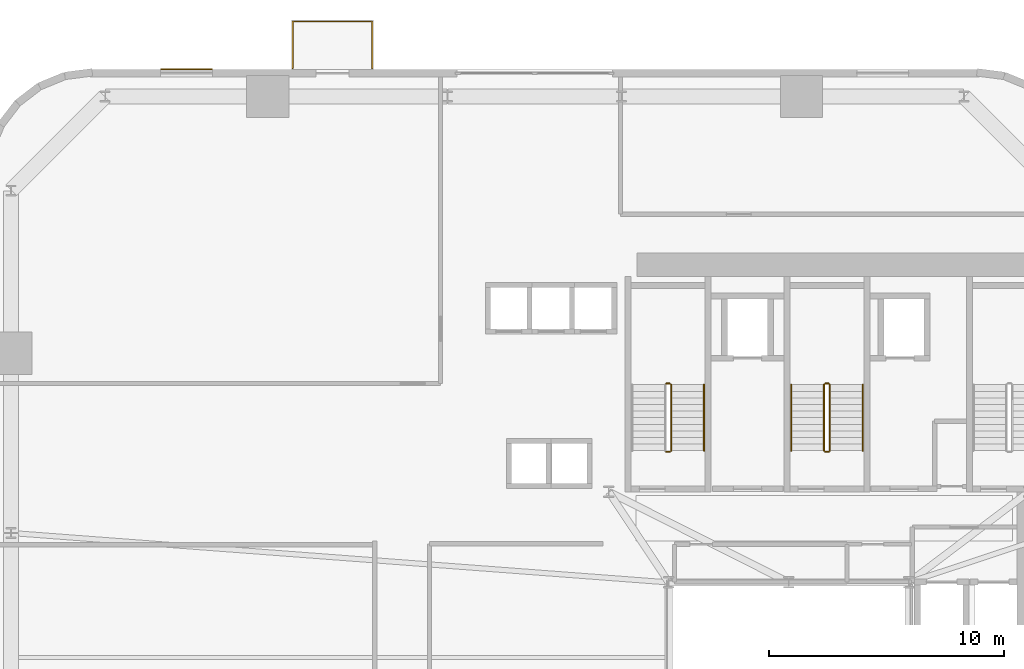
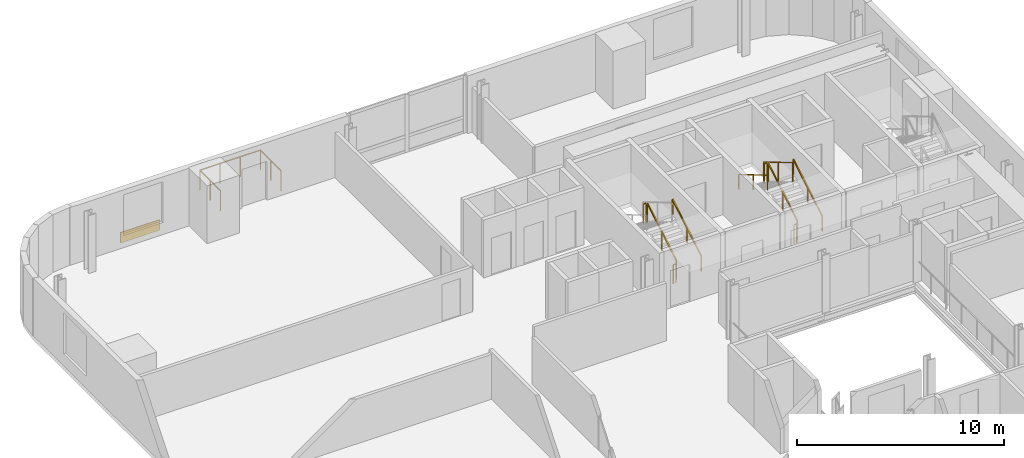
# One storey, part 11 of 12: 11 railings, 1 covering.
"""IFC4 building model written with IfcOpenShell, lengths in metres."""

import ifcopenshell
import ifcopenshell.guid

model = None  # the IFC model being written
_history = None  # IfcOwnerHistory: only IFC2X3 demands one
_inside = {}  # id of a spatial element -> (the spatial element, [elements in it])
_under = {}  # id of a project, library or spatial element -> (it, [spatial elements below it])
_declared = {}  # id of a project -> (the project, [libraries it declares])
_typed = {}  # id of a type object -> (the type object, [elements of that type])
_made_of = {}  # id of a material, layer set ... -> (it, [elements and type objects made of it])


def new_model(schema):
    """Start an empty IFC model of exactly this schema.

    Asked for "IFC4X3", IfcOpenShell would pick the latest addendum, in which some entities
    have other attributes; the version numbers below select the first issue.
    IFC2X3 requires an IfcOwnerHistory on every rooted entity: one is made here for all.
    """
    global model, _history
    if schema == "IFC4X3":
        model = ifcopenshell.file(schema_version=(4, 3, 0, 0))
    else:
        model = ifcopenshell.file(schema=schema)
    _inside.clear()
    _under.clear()
    _declared.clear()
    _typed.clear()
    _made_of.clear()
    _history = None
    if model.schema == "IFC2X3":
        org = make("IfcOrganization", Name="unknown")
        user = make(
            "IfcPersonAndOrganization",
            ThePerson=make("IfcPerson", FamilyName="unknown"),
            TheOrganization=org,
        )
        app = make(
            "IfcApplication",
            ApplicationDeveloper=org,
            Version="unknown",
            ApplicationFullName="unknown",
            ApplicationIdentifier="unknown",
        )
        _history = make(
            "IfcOwnerHistory",
            OwningUser=user,
            OwningApplication=app,
            ChangeAction="ADDED",
            CreationDate=0,
        )
    return model


def make(cls, **values):
    """One entity of the class cls with the attributes given. An attribute that is None is left unset."""
    return model.create_entity(
        cls, **{name: value for name, value in values.items() if value is not None}
    )


def rooted(cls, **values):
    """An entity with a GlobalId (a new one), such as an element, a storey or a relation."""
    return make(cls, GlobalId=ifcopenshell.guid.new(), OwnerHistory=_history, **values)


def si_unit(unit_type, name, prefix=None):
    """IfcSIUnit, for example si_unit("LENGTHUNIT", "METRE", prefix="MILLI")."""
    return make("IfcSIUnit", UnitType=unit_type, Prefix=prefix, Name=name)


def assignment(units):
    """IfcUnitAssignment: the units of a project."""
    return None if units is None else make("IfcUnitAssignment", Units=units)


def point(xyz):
    """IfcCartesianPoint."""
    return None if xyz is None else make("IfcCartesianPoint", Coordinates=xyz)


def direction(xyz):
    """IfcDirection."""
    return None if xyz is None else make("IfcDirection", DirectionRatios=xyz)


def frame(location, z_axis=None, x_axis=None):
    """IfcAxis2Placement3D, a coordinate frame: its origin and axes. An axis left out is left unset."""
    return make(
        "IfcAxis2Placement3D",
        Location=point(location),
        Axis=direction(z_axis),
        RefDirection=direction(x_axis),
    )


def frame_2d(location, x_axis=None):
    """IfcAxis2Placement2D, a coordinate frame in the plane: its origin and x axis."""
    return make(
        "IfcAxis2Placement2D", Location=point(location), RefDirection=direction(x_axis)
    )


def origin():
    """The frame at (0, 0, 0) with its axes left unset."""
    return frame((0.0, 0.0, 0.0))


def origin_2d():
    """The frame at (0, 0) in the plane with its x axis left unset."""
    return frame_2d((0.0, 0.0))


def place(relative_to, where):
    """IfcLocalPlacement: puts the frame where relative to a parent placement (None: the world)."""
    return make(
        "IfcLocalPlacement", PlacementRelTo=relative_to, RelativePlacement=where
    )


def context(
    kind, dimensions, precision=None, world=None, true_north=None, identifier=None
):
    """IfcGeometricRepresentationContext, for example the 3D "Model" context."""
    return make(
        "IfcGeometricRepresentationContext",
        ContextIdentifier=identifier,
        ContextType=kind,
        CoordinateSpaceDimension=dimensions,
        Precision=precision,
        WorldCoordinateSystem=world,
        TrueNorth=true_north,
    )


def subcontext(parent, identifier, kind, view, scale=None):
    """IfcGeometricRepresentationSubContext, for example "Body" below "Model"."""
    return make(
        "IfcGeometricRepresentationSubContext",
        ContextIdentifier=identifier,
        ContextType=kind,
        ParentContext=parent,
        TargetScale=scale,
        TargetView=view,
    )


def project(units=None, contexts=None):
    """IfcProject with its units and contexts."""
    return rooted(
        "IfcProject",
        Name="project",
        RepresentationContexts=contexts,
        UnitsInContext=assignment(units),
    )


def spatial(cls, under=None, at=None, **own):
    """A site, building, storey or space (cls), placed at a placement, below another one or the project."""
    s = rooted(cls, ObjectPlacement=at, **own)
    if under is not None:
        _under.setdefault(under.id(), (under, []))[1].append(s)
    return s


def profile(cls, at=None, kind="AREA", **sizes):
    """A parametric profile (cls). Its sizes go by their IFC names, for example OverallWidth=200.0."""
    return make(cls, ProfileType=kind, Position=at, **sizes)


def rectangle(**sizes):
    """IfcRectangleProfileDef."""
    return profile("IfcRectangleProfileDef", **sizes)


def extrude(swept, where, along, depth):
    """IfcExtrudedAreaSolid: the profile swept, set in the frame where, extruded along a direction by depth."""
    return make(
        "IfcExtrudedAreaSolid",
        SweptArea=swept,
        Position=where,
        ExtrudedDirection=direction(along),
        Depth=depth,
    )


def shape(context_of_items, identifier, shape_type, items):
    """IfcShapeRepresentation: the items that make up one representation, for example the "Body"."""
    return make(
        "IfcShapeRepresentation",
        ContextOfItems=context_of_items,
        RepresentationIdentifier=identifier,
        RepresentationType=shape_type,
        Items=items,
    )


def source(mapping_origin, context_of_items, identifier, shape_type, items):
    """IfcRepresentationMap: a shape defined once, which mapped items show again and again."""
    return make(
        "IfcRepresentationMap",
        MappingOrigin=mapping_origin,
        MappedRepresentation=shape(context_of_items, identifier, shape_type, items),
    )


def transform(
    local_origin,
    x_axis=None,
    y_axis=None,
    z_axis=None,
    scale=None,
    scale2=None,
    scale3=None,
    uniform=True,
):
    """IfcCartesianTransformationOperator3D, or its non-uniform kind. x_axis, y_axis, z_axis: its Axis1, 2, 3."""
    if uniform:
        return make(
            "IfcCartesianTransformationOperator3D",
            Axis1=direction(x_axis),
            Axis2=direction(y_axis),
            LocalOrigin=point(local_origin),
            Scale=scale,
            Axis3=direction(z_axis),
        )
    return make(
        "IfcCartesianTransformationOperator3DnonUniform",
        Axis1=direction(x_axis),
        Axis2=direction(y_axis),
        LocalOrigin=point(local_origin),
        Scale=scale,
        Axis3=direction(z_axis),
        Scale2=scale2,
        Scale3=scale3,
    )


def mapped(mapping_source, mapping_target):
    """IfcMappedItem: shows the shape of a source again, moved by a transform."""
    return make(
        "IfcMappedItem", MappingSource=mapping_source, MappingTarget=mapping_target
    )


def material(Name=None, Category=None):
    """IfcMaterial."""
    return make("IfcMaterial", Name=Name, Category=Category)


def layer(
    of_material, thickness, ventilated=None, Name=None, Category=None, Priority=None
):
    """IfcMaterialLayer: one layer of a wall or slab, of a material (None: an air gap)."""
    return make(
        "IfcMaterialLayer",
        Material=of_material,
        LayerThickness=thickness,
        IsVentilated=ventilated,
        Name=Name,
        Category=Category,
        Priority=Priority,
    )


def layer_set(layers, Name=None):
    """IfcMaterialLayerSet."""
    return make("IfcMaterialLayerSet", MaterialLayers=layers, LayerSetName=Name)


def made_of(thing, what):
    """Note that an element or type object is made of a material, layer set ...; save() writes the relation."""
    if what is not None:
        _made_of.setdefault(what.id(), (what, []))[1].append(thing)
    return thing


def type_object(cls, material=None, **own):
    """A type object (cls), such as IfcWallType, which elements share."""
    return made_of(rooted(cls, **own), material)


def element(
    cls,
    number,
    at=None,
    inside=None,
    cuts=None,
    type_object=None,
    material=None,
    context=None,
    identifier="Body",
    shape_type=None,
    held_by="IfcProductDefinitionShape",
    body=None,
    shapes=None,
    **own,
):
    """One element of the class cls, such as IfcWall. Its Tag is "e" and its number.

    at: its placement. inside: the storey or other place that contains it. cuts: it is an
    opening in that element (IfcRelVoidsElement). A single representation is given by context,
    identifier, shape_type and body (its items); several are given by shapes. held_by: the class
    of the entity that holds the representations. save() writes the other relations.
    """
    e = rooted(cls, Tag="e%d" % number, ObjectPlacement=at, **own)
    if body is not None:
        shapes = [shape(context, identifier, shape_type, body)]
    if shapes is not None:
        e.Representation = make(held_by, Representations=shapes)
    if inside is not None:
        _inside.setdefault(inside.id(), (inside, []))[1].append(e)
    if cuts is not None:
        rooted(
            "IfcRelVoidsElement", RelatingBuildingElement=cuts, RelatedOpeningElement=e
        )
    if type_object is not None:
        _typed.setdefault(type_object.id(), (type_object, []))[1].append(e)
    return made_of(e, material)


def aggregate(whole, parts):
    """IfcRelAggregates: a whole, such as a stair, and the parts it consists of."""
    return rooted("IfcRelAggregates", RelatingObject=whole, RelatedObjects=parts)


def save(model, path):
    """Write the relations noted so far, then the file.

    IfcRelAggregates (storeys below a building ...), IfcRelContainedInSpatialStructure (elements
    in a storey), IfcRelDefinesByType, IfcRelAssociatesMaterial and IfcRelDeclares: one each for
    every whole, place, type object, material and project.
    """
    for whole, parts in _under.values():
        aggregate(whole, parts)
    for where, things in _inside.values():
        rooted(
            "IfcRelContainedInSpatialStructure",
            RelatedElements=things,
            RelatingStructure=where,
        )
    for kind, things in _typed.values():
        rooted("IfcRelDefinesByType", RelatedObjects=things, RelatingType=kind)
    for what, things in _made_of.values():
        rooted("IfcRelAssociatesMaterial", RelatedObjects=things, RelatingMaterial=what)
    for by, libraries in _declared.values():
        rooted("IfcRelDeclares", RelatingContext=by, RelatedDefinitions=libraries)
    model.write(path)


model = new_model("IFC4")

# Units and contexts
model_context = context("Model", 3, precision=1e-05, world=origin(), true_north=direction((0.0, 1.0)))
body_context = subcontext(model_context, "Body", "Model", "MODEL_VIEW")
ifc_project = project(units=[si_unit("LENGTHUNIT", "METRE"), si_unit("AREAUNIT", "SQUARE_METRE"), si_unit("VOLUMEUNIT", "CUBIC_METRE"), si_unit("PLANEANGLEUNIT", "RADIAN"), si_unit("MASSUNIT", "GRAM", prefix="KILO")], contexts=[model_context])

# Site, building, storey
site_placement = place(None, origin())
site = spatial("IfcSite", under=ifc_project, at=site_placement, CompositionType="ELEMENT")
building_placement = place(site_placement, origin())
building = spatial("IfcBuilding", under=site, at=building_placement, Name="Vardaveli Station Tower", CompositionType="ELEMENT")
storey_placement = place(building_placement, frame((0.0, 0.0, 60.449951171875)))
storey = spatial("IfcBuildingStorey", under=building, at=storey_placement, Name="L15", CompositionType="ELEMENT", Elevation=60.449951171875)

# Covering
ifc_material_1 = material(Name="Ventilated honed travertine stone cladding", Category="masonry")
ifc_layer = layer(ifc_material_1, 0.044921875, Name="Ventilated honed travertine stone cladding")
ifc_layer_set = layer_set([ifc_layer], Name="Ventilated honed travertine stone cladding")
covering_type = type_object("IfcCoveringType", Name="COV-CLAD-TR45", PredefinedType="CLADDING", material=ifc_layer_set)
shared_shape_1 = source(origin(), body_context, "Body", "SweptSolid", [
    extrude(rectangle(XDim=2.199951171875, YDim=0.044921875, at=origin_2d()), origin(), (0.0, 0.0, 1.0), 0.6201171875),
])
covering_placement = place(storey_placement, frame((10.705078125, 48.614501953125, 0.070068359375), z_axis=(0.0, 0.0, 1.0), x_axis=(1.0, 0.0, 0.0)))
element("IfcCovering", 1, at=covering_placement, inside=storey, type_object=covering_type, Name="CLD-TR-L15-N", PredefinedType="CLADDING", context=body_context, shape_type="MappedRepresentation", body=[
    mapped(shared_shape_1, transform((0.0, 0.0, 0.0), scale=1.0)),
])

# Railings
ifc_material_2 = material(Name="Laminated glass and stainless steel balustrade", Category="steel")
railing_type_1 = type_object("IfcRailingType", Name="RL-BAL-1200", PredefinedType="BALUSTRADE", material=ifc_material_2)
shared_shape_2 = source(origin(), body_context, "Body", "SweptSolid", [
    extrude(rectangle(XDim=0.048095703125, YDim=0.048095703125, at=origin_2d()), frame((0.0, 0.0, 1.17578125), z_axis=(0.0, 1.0, 0.0), x_axis=(-1.0, 0.0, 0.0)), (0.0, 0.0, 1.0), 2.0),
    extrude(rectangle(XDim=0.048095703125, YDim=0.048095703125, at=origin_2d()), frame((0.0, 2.0, 1.17578125), z_axis=(1.0, 0.0, 0.0), x_axis=(0.0, 1.0, 0.0)), (0.0, 0.0, 1.0), 3.3798828125),
    extrude(rectangle(XDim=0.048095703125, YDim=0.048095703125, at=origin_2d()), frame((3.3798828125, 2.0, 1.17578125), z_axis=(0.0, -1.0, 0.0), x_axis=(1.0, 0.0, 0.0)), (0.0, 0.0, 1.0), 2.0),
    extrude(rectangle(XDim=0.0419921875, YDim=0.0419921875, at=origin_2d()), origin(), (0.0, 0.0, 1.0), 1.15185546875),
    extrude(rectangle(XDim=0.0419921875, YDim=0.0419921875, at=origin_2d()), frame((0.0, 1.0, 0.0)), (0.0, 0.0, 1.0), 1.15185546875),
    extrude(rectangle(XDim=0.0419921875, YDim=0.0419921875, at=origin_2d()), frame((0.0, 2.0, 0.0)), (0.0, 0.0, 1.0), 1.15185546875),
    extrude(rectangle(XDim=0.0419921875, YDim=0.0419921875, at=origin_2d()), frame((1.126708984375, 2.0, 0.0)), (0.0, 0.0, 1.0), 1.15185546875),
    extrude(rectangle(XDim=0.0419921875, YDim=0.0419921875, at=origin_2d()), frame((2.253173828125, 2.0, 0.0)), (0.0, 0.0, 1.0), 1.15185546875),
    extrude(rectangle(XDim=0.0419921875, YDim=0.0419921875, at=origin_2d()), frame((3.3798828125, 2.0, 0.0)), (0.0, 0.0, 1.0), 1.15185546875),
    extrude(rectangle(XDim=0.0419921875, YDim=0.0419921875, at=origin_2d()), frame((3.3798828125, 1.0, 0.0)), (0.0, 0.0, 1.0), 1.15185546875),
    extrude(rectangle(XDim=0.0419921875, YDim=0.0419921875, at=origin_2d()), frame((3.3798828125, 0.0, 0.0)), (0.0, 0.0, 1.0), 1.15185546875),
])
railing_1_placement = place(storey_placement, frame((15.220458984375, 48.639892578125, 0.0)))
element("IfcRailing", 2, at=railing_1_placement, inside=storey, type_object=railing_type_1, Name="RL-LOG-L15-02", PredefinedType="BALUSTRADE", context=body_context, shape_type="MappedRepresentation", body=[
    mapped(shared_shape_2, transform((0.0, 0.0, 0.0), scale=1.0)),
])
ifc_material_3 = material(Name="Brushed AISI 316 stainless steel", Category="steel")
railing_type_2 = type_object("IfcRailingType", Name="RL-GUARD-1150", PredefinedType="GUARDRAIL", material=ifc_material_3)
shared_shape_3 = source(origin(), body_context, "Body", "SweptSolid", [
    extrude(rectangle(XDim=0.048095703125, YDim=0.048095703125, at=origin_2d()), frame((0.0, 0.0, 1.1259765625), z_axis=(-1.0, 0.0, 0.0), x_axis=(0.0, -1.0, 0.0)), (0.0, 0.0, 1.0), 0.14990234375),
    extrude(rectangle(XDim=0.0419921875, YDim=0.0419921875, at=origin_2d()), origin(), (0.0, 0.0, 1.0), 1.101806640625),
    extrude(rectangle(XDim=0.0419921875, YDim=0.0419921875, at=origin_2d()), frame((-0.14990234375, 0.0, 0.0)), (0.0, 0.0, 1.0), 1.101806640625),
])
for number, where, name in (
    (3, (31.25, 35.25, 1.824951171875), "L15 ST-1 stair guard 2"),
    (4, (31.25, 32.35009765625, 0.0), "L15 ST-1 stair guard 4"),
    (5, (38.0, 35.25, 1.824951171875), "L15 ST-2 stair guard 2"),
    (6, (38.0, 32.35009765625, 0.0), "L15 ST-2 stair guard 4"),
):
    element("IfcRailing", number, at=place(storey_placement, frame(where)), inside=storey, type_object=railing_type_2, Name=name, PredefinedType="GUARDRAIL", context=body_context, shape_type="MappedRepresentation", body=[
        mapped(shared_shape_3, transform((0.0, 0.0, 0.0), scale=1.0)),
    ])
shared_shape_4 = source(origin(), body_context, "Body", "SweptSolid", [
    extrude(rectangle(XDim=0.048095703125, YDim=0.048095703125, at=origin_2d()), frame((0.0, 0.0, 1.1259765625), z_axis=(0.0, -0.860306154799, 0.50977771628), x_axis=(1.0, 0.0, 0.0)), (0.0, 0.0, 1.0), 3.254638671875),
    extrude(rectangle(XDim=0.0419921875, YDim=0.0419921875, at=origin_2d()), origin(), (0.0, 0.0, 1.0), 1.101806640625),
    extrude(rectangle(XDim=0.0419921875, YDim=0.0419921875, at=origin_2d()), frame((0.0, -1.39990234375, 0.82958984375)), (0.0, 0.0, 1.0), 1.101806640625),
    extrude(rectangle(XDim=0.0419921875, YDim=0.0419921875, at=origin_2d()), frame((0.0, -2.800048828125, 1.6591796875)), (0.0, 0.0, 1.0), 1.101806640625),
])
railing_2_placement = place(storey_placement, frame((37.800048828125, 35.199951171875, 1.990966796875)))
element("IfcRailing", 7, at=railing_2_placement, inside=storey, type_object=railing_type_2, Name="L15 ST-2 stair guard 3", PredefinedType="GUARDRAIL", context=body_context, shape_type="MappedRepresentation", body=[
    mapped(shared_shape_4, transform((0.0, 0.0, 0.0), scale=1.0)),
])
railing_type_3 = type_object("IfcRailingType", Name="RL-HAND-900", PredefinedType="HANDRAIL", material=ifc_material_3)
shared_shape_5 = source(origin(), body_context, "Body", "SweptSolid", [
    extrude(rectangle(XDim=0.048095703125, YDim=0.048095703125, at=origin_2d()), frame((0.0, 0.0, 0.8759765625), z_axis=(0.0, -0.860306154799, 0.50977771628), x_axis=(1.0, 0.0, 0.0)), (0.0, 0.0, 1.0), 3.254638671875),
    extrude(rectangle(XDim=0.0419921875, YDim=0.0419921875, at=origin_2d()), origin(), (0.0, 0.0, 1.0), 0.851806640625),
    extrude(rectangle(XDim=0.0419921875, YDim=0.0419921875, at=origin_2d()), frame((0.0, -1.39990234375, 0.82958984375)), (0.0, 0.0, 1.0), 0.851806640625),
    extrude(rectangle(XDim=0.0419921875, YDim=0.0419921875, at=origin_2d()), frame((0.0, -2.800048828125, 1.6591796875)), (0.0, 0.0, 1.0), 0.851806640625),
])
railing_3_placement = place(storey_placement, frame((36.39990234375, 35.199951171875, 1.990966796875)))
element("IfcRailing", 8, at=railing_3_placement, inside=storey, type_object=railing_type_3, Name="L15 ST-2 stair handrail 2", PredefinedType="HANDRAIL", context=body_context, shape_type="MappedRepresentation", body=[
    mapped(shared_shape_5, transform((0.0, 0.0, 0.0), scale=1.0)),
])
shared_shape_6 = source(origin(), body_context, "Body", "SweptSolid", [
    extrude(rectangle(XDim=0.048095703125, YDim=0.048095703125, at=origin_2d()), frame((0.0, 0.0, 1.1259765625), z_axis=(0.0, 0.860339051648, 0.50972219513), x_axis=(-1.0, 0.0, 0.0)), (0.0, 0.0, 1.0), 3.254638671875),
    extrude(rectangle(XDim=0.0419921875, YDim=0.0419921875, at=origin_2d()), origin(), (0.0, 0.0, 1.0), 1.101806640625),
    extrude(rectangle(XDim=0.0419921875, YDim=0.0419921875, at=origin_2d()), frame((0.0, 1.39990234375, 0.82958984375)), (0.0, 0.0, 1.0), 1.101806640625),
    extrude(rectangle(XDim=0.0419921875, YDim=0.0419921875, at=origin_2d()), frame((0.0, 2.800048828125, 1.658935546875)), (0.0, 0.0, 1.0), 1.101806640625),
])
for number, where, name in (
    (9, (31.300048828125, 32.39990234375, 0.166015625), "L15 ST-1 stair guard 1"),
    (10, (38.050048828125, 32.39990234375, 0.166015625), "L15 ST-2 stair guard 1"),
):
    element("IfcRailing", number, at=place(storey_placement, frame(where)), inside=storey, type_object=railing_type_2, Name=name, PredefinedType="GUARDRAIL", context=body_context, shape_type="MappedRepresentation", body=[
        mapped(shared_shape_6, transform((0.0, 0.0, 0.0), scale=1.0)),
    ])
shared_shape_7 = source(origin(), body_context, "Body", "SweptSolid", [
    extrude(rectangle(XDim=0.048095703125, YDim=0.048095703125, at=origin_2d()), frame((0.0, 0.0, 0.8759765625), z_axis=(0.0, 0.860339051648, 0.50972219513), x_axis=(-1.0, 0.0, 0.0)), (0.0, 0.0, 1.0), 3.254638671875),
    extrude(rectangle(XDim=0.0419921875, YDim=0.0419921875, at=origin_2d()), origin(), (0.0, 0.0, 1.0), 0.851806640625),
    extrude(rectangle(XDim=0.0419921875, YDim=0.0419921875, at=origin_2d()), frame((0.0, 1.39990234375, 0.82958984375)), (0.0, 0.0, 1.0), 0.851806640625),
    extrude(rectangle(XDim=0.0419921875, YDim=0.0419921875, at=origin_2d()), frame((0.0, 2.800048828125, 1.658935546875)), (0.0, 0.0, 1.0), 0.851806640625),
])
for number, where, name in (
    (11, (32.699951171875, 32.39990234375, 0.166015625), "L15 ST-1 stair handrail 1"),
    (12, (39.449951171875, 32.39990234375, 0.166015625), "L15 ST-2 stair handrail 1"),
):
    element("IfcRailing", number, at=place(storey_placement, frame(where)), inside=storey, type_object=railing_type_3, Name=name, PredefinedType="HANDRAIL", context=body_context, shape_type="MappedRepresentation", body=[
        mapped(shared_shape_7, transform((0.0, 0.0, 0.0), scale=1.0)),
    ])

save(model, "model.ifc")
